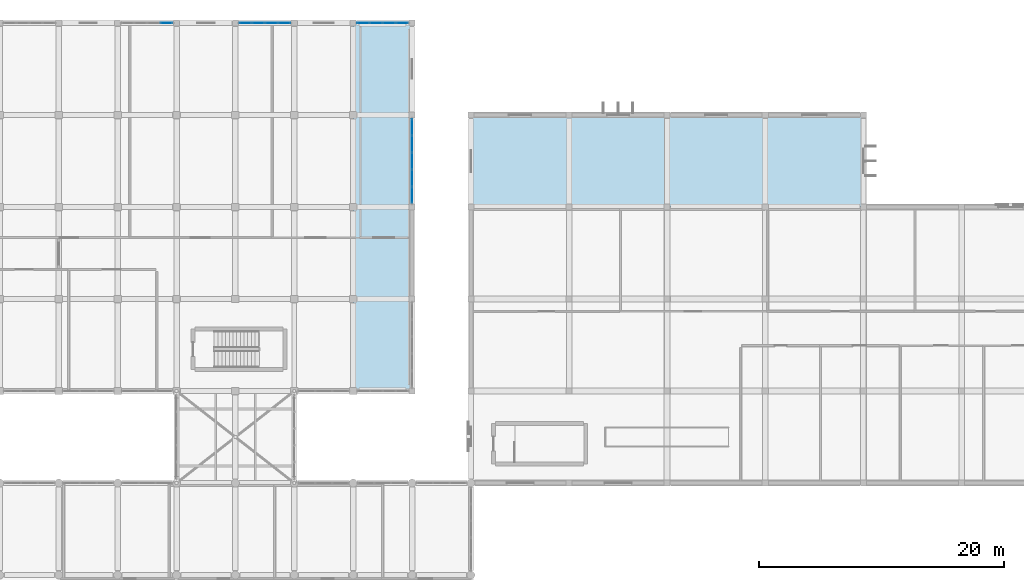
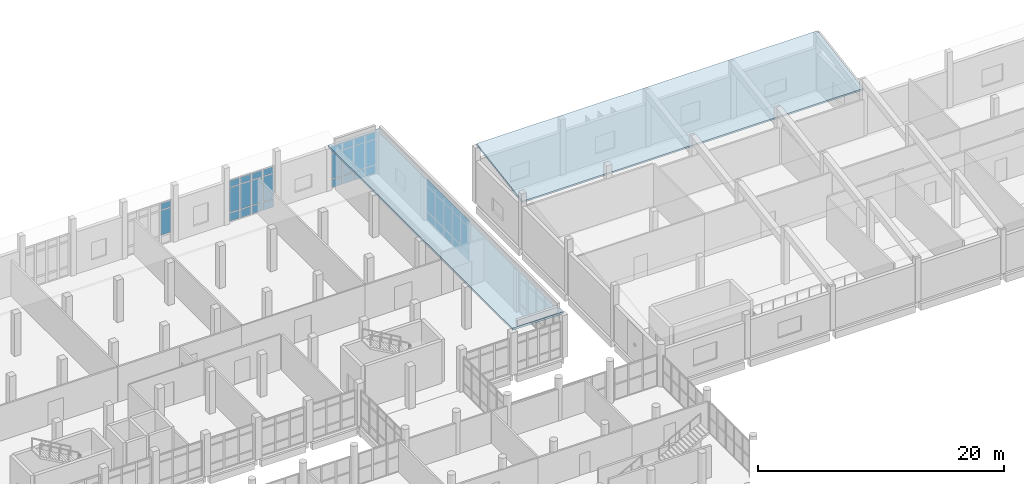
# One storey, part 135 of 164: 41 plates, 2 slabs, 4 elements without a shape of their own.
"""IFC4 building model written with IfcOpenShell, lengths in metres."""

import ifcopenshell
import ifcopenshell.guid

model = None  # the IFC model being written
_history = None  # IfcOwnerHistory: only IFC2X3 demands one
_inside = {}  # id of a spatial element -> (the spatial element, [elements in it])
_under = {}  # id of a project, library or spatial element -> (it, [spatial elements below it])
_declared = {}  # id of a project -> (the project, [libraries it declares])
_typed = {}  # id of a type object -> (the type object, [elements of that type])
_made_of = {}  # id of a material, layer set ... -> (it, [elements and type objects made of it])


def new_model(schema):
    """Start an empty IFC model of exactly this schema.

    Asked for "IFC4X3", IfcOpenShell would pick the latest addendum, in which some entities
    have other attributes; the version numbers below select the first issue.
    IFC2X3 requires an IfcOwnerHistory on every rooted entity: one is made here for all.
    """
    global model, _history
    if schema == "IFC4X3":
        model = ifcopenshell.file(schema_version=(4, 3, 0, 0))
    else:
        model = ifcopenshell.file(schema=schema)
    _inside.clear()
    _under.clear()
    _declared.clear()
    _typed.clear()
    _made_of.clear()
    _history = None
    if model.schema == "IFC2X3":
        org = make("IfcOrganization", Name="unknown")
        user = make(
            "IfcPersonAndOrganization",
            ThePerson=make("IfcPerson", FamilyName="unknown"),
            TheOrganization=org,
        )
        app = make(
            "IfcApplication",
            ApplicationDeveloper=org,
            Version="unknown",
            ApplicationFullName="unknown",
            ApplicationIdentifier="unknown",
        )
        _history = make(
            "IfcOwnerHistory",
            OwningUser=user,
            OwningApplication=app,
            ChangeAction="ADDED",
            CreationDate=0,
        )
    return model


def make(cls, **values):
    """One entity of the class cls with the attributes given. An attribute that is None is left unset."""
    return model.create_entity(
        cls, **{name: value for name, value in values.items() if value is not None}
    )


def rooted(cls, **values):
    """An entity with a GlobalId (a new one), such as an element, a storey or a relation."""
    return make(cls, GlobalId=ifcopenshell.guid.new(), OwnerHistory=_history, **values)


def si_unit(unit_type, name, prefix=None):
    """IfcSIUnit, for example si_unit("LENGTHUNIT", "METRE", prefix="MILLI")."""
    return make("IfcSIUnit", UnitType=unit_type, Prefix=prefix, Name=name)


def assignment(units):
    """IfcUnitAssignment: the units of a project."""
    return None if units is None else make("IfcUnitAssignment", Units=units)


def point(xyz):
    """IfcCartesianPoint."""
    return None if xyz is None else make("IfcCartesianPoint", Coordinates=xyz)


def direction(xyz):
    """IfcDirection."""
    return None if xyz is None else make("IfcDirection", DirectionRatios=xyz)


def frame(location, z_axis=None, x_axis=None):
    """IfcAxis2Placement3D, a coordinate frame: its origin and axes. An axis left out is left unset."""
    return make(
        "IfcAxis2Placement3D",
        Location=point(location),
        Axis=direction(z_axis),
        RefDirection=direction(x_axis),
    )


def frame_2d(location, x_axis=None):
    """IfcAxis2Placement2D, a coordinate frame in the plane: its origin and x axis."""
    return make(
        "IfcAxis2Placement2D", Location=point(location), RefDirection=direction(x_axis)
    )


def origin():
    """The frame at (0, 0, 0) with its axes left unset."""
    return frame((0.0, 0.0, 0.0))


def origin_2d():
    """The frame at (0, 0) in the plane with its x axis left unset."""
    return frame_2d((0.0, 0.0))


def place(relative_to, where):
    """IfcLocalPlacement: puts the frame where relative to a parent placement (None: the world)."""
    return make(
        "IfcLocalPlacement", PlacementRelTo=relative_to, RelativePlacement=where
    )


def context(
    kind, dimensions, precision=None, world=None, true_north=None, identifier=None
):
    """IfcGeometricRepresentationContext, for example the 3D "Model" context."""
    return make(
        "IfcGeometricRepresentationContext",
        ContextIdentifier=identifier,
        ContextType=kind,
        CoordinateSpaceDimension=dimensions,
        Precision=precision,
        WorldCoordinateSystem=world,
        TrueNorth=true_north,
    )


def subcontext(parent, identifier, kind, view, scale=None):
    """IfcGeometricRepresentationSubContext, for example "Body" below "Model"."""
    return make(
        "IfcGeometricRepresentationSubContext",
        ContextIdentifier=identifier,
        ContextType=kind,
        ParentContext=parent,
        TargetScale=scale,
        TargetView=view,
    )


def project(units=None, contexts=None):
    """IfcProject with its units and contexts."""
    return rooted(
        "IfcProject",
        Name="project",
        RepresentationContexts=contexts,
        UnitsInContext=assignment(units),
    )


def spatial(cls, under=None, at=None, **own):
    """A site, building, storey or space (cls), placed at a placement, below another one or the project."""
    s = rooted(cls, ObjectPlacement=at, **own)
    if under is not None:
        _under.setdefault(under.id(), (under, []))[1].append(s)
    return s


def polyline(points):
    """IfcPolyline through the points."""
    return make("IfcPolyline", Points=[point(p) for p in points])


def profile(cls, at=None, kind="AREA", **sizes):
    """A parametric profile (cls). Its sizes go by their IFC names, for example OverallWidth=200.0."""
    return make(cls, ProfileType=kind, Position=at, **sizes)


def rectangle(**sizes):
    """IfcRectangleProfileDef."""
    return profile("IfcRectangleProfileDef", **sizes)


def outline(outer, holes=None, kind="AREA"):
    """IfcArbitraryClosedProfileDef: a profile drawn as a closed curve; with holes, ...WithVoids."""
    if holes is None:
        return make("IfcArbitraryClosedProfileDef", ProfileType=kind, OuterCurve=outer)
    return make(
        "IfcArbitraryProfileDefWithVoids",
        ProfileType=kind,
        OuterCurve=outer,
        InnerCurves=holes,
    )


def extrude(swept, where, along, depth):
    """IfcExtrudedAreaSolid: the profile swept, set in the frame where, extruded along a direction by depth."""
    return make(
        "IfcExtrudedAreaSolid",
        SweptArea=swept,
        Position=where,
        ExtrudedDirection=direction(along),
        Depth=depth,
    )


def shape(context_of_items, identifier, shape_type, items):
    """IfcShapeRepresentation: the items that make up one representation, for example the "Body"."""
    return make(
        "IfcShapeRepresentation",
        ContextOfItems=context_of_items,
        RepresentationIdentifier=identifier,
        RepresentationType=shape_type,
        Items=items,
    )


def material(Name=None, Category=None):
    """IfcMaterial."""
    return make("IfcMaterial", Name=Name, Category=Category)


def layer(
    of_material, thickness, ventilated=None, Name=None, Category=None, Priority=None
):
    """IfcMaterialLayer: one layer of a wall or slab, of a material (None: an air gap)."""
    return make(
        "IfcMaterialLayer",
        Material=of_material,
        LayerThickness=thickness,
        IsVentilated=ventilated,
        Name=Name,
        Category=Category,
        Priority=Priority,
    )


def layer_set(layers, Name=None):
    """IfcMaterialLayerSet."""
    return make("IfcMaterialLayerSet", MaterialLayers=layers, LayerSetName=Name)


def made_of(thing, what):
    """Note that an element or type object is made of a material, layer set ...; save() writes the relation."""
    if what is not None:
        _made_of.setdefault(what.id(), (what, []))[1].append(thing)
    return thing


def type_object(cls, material=None, **own):
    """A type object (cls), such as IfcWallType, which elements share."""
    return made_of(rooted(cls, **own), material)


def element(
    cls,
    number,
    at=None,
    inside=None,
    cuts=None,
    type_object=None,
    material=None,
    context=None,
    identifier="Body",
    shape_type=None,
    held_by="IfcProductDefinitionShape",
    body=None,
    shapes=None,
    **own,
):
    """One element of the class cls, such as IfcWall. Its Tag is "e" and its number.

    at: its placement. inside: the storey or other place that contains it. cuts: it is an
    opening in that element (IfcRelVoidsElement). A single representation is given by context,
    identifier, shape_type and body (its items); several are given by shapes. held_by: the class
    of the entity that holds the representations. save() writes the other relations.
    """
    e = rooted(cls, Tag="e%d" % number, ObjectPlacement=at, **own)
    if body is not None:
        shapes = [shape(context, identifier, shape_type, body)]
    if shapes is not None:
        e.Representation = make(held_by, Representations=shapes)
    if inside is not None:
        _inside.setdefault(inside.id(), (inside, []))[1].append(e)
    if cuts is not None:
        rooted(
            "IfcRelVoidsElement", RelatingBuildingElement=cuts, RelatedOpeningElement=e
        )
    if type_object is not None:
        _typed.setdefault(type_object.id(), (type_object, []))[1].append(e)
    return made_of(e, material)


def aggregate(whole, parts):
    """IfcRelAggregates: a whole, such as a stair, and the parts it consists of."""
    return rooted("IfcRelAggregates", RelatingObject=whole, RelatedObjects=parts)


def save(model, path):
    """Write the relations noted so far, then the file.

    IfcRelAggregates (storeys below a building ...), IfcRelContainedInSpatialStructure (elements
    in a storey), IfcRelDefinesByType, IfcRelAssociatesMaterial and IfcRelDeclares: one each for
    every whole, place, type object, material and project.
    """
    for whole, parts in _under.values():
        aggregate(whole, parts)
    for where, things in _inside.values():
        rooted(
            "IfcRelContainedInSpatialStructure",
            RelatedElements=things,
            RelatingStructure=where,
        )
    for kind, things in _typed.values():
        rooted("IfcRelDefinesByType", RelatedObjects=things, RelatingType=kind)
    for what, things in _made_of.values():
        rooted("IfcRelAssociatesMaterial", RelatedObjects=things, RelatingMaterial=what)
    for by, libraries in _declared.values():
        rooted("IfcRelDeclares", RelatingContext=by, RelatedDefinitions=libraries)
    model.write(path)


model = new_model("IFC4")

# Units and contexts
model_context = context("Model", 3, precision=1e-05, world=origin(), true_north=direction((0.0, 1.0)))
body_context = subcontext(model_context, "Body", "Model", "MODEL_VIEW")
ifc_project = project(units=[si_unit("LENGTHUNIT", "METRE"), si_unit("AREAUNIT", "SQUARE_METRE"), si_unit("VOLUMEUNIT", "CUBIC_METRE"), si_unit("PLANEANGLEUNIT", "RADIAN"), si_unit("MASSUNIT", "GRAM", prefix="KILO")], contexts=[model_context])

# Site, building, storey
site_placement = place(None, origin())
site = spatial("IfcSite", under=ifc_project, at=site_placement, CompositionType="ELEMENT")
building_placement = place(site_placement, origin())
building = spatial("IfcBuilding", under=site, at=building_placement, Name="Mawjan Specialist Oncology Clinic", CompositionType="ELEMENT")
storey_placement = place(building_placement, frame((0.0, 0.0, 5.0)))
storey = spatial("IfcBuildingStorey", under=building, at=storey_placement, Name="L01", CompositionType="ELEMENT", Elevation=5.0)

# Curtain wall, plates
ifc_material_1 = material(Name="Unitised spectrally selective aluminium curtain wall", Category="aluminium")
ifc_layer_1 = layer(ifc_material_1, 0.179931640625, Name="Unitised spectrally selective aluminium curtain wall", Category="aluminium")
ifc_layer_set_1 = layer_set([ifc_layer_1], Name="Unitised spectrally selective aluminium curtain wall")
curtain_wall_type_1 = type_object("IfcCurtainWallType", Name="CW-63", PredefinedType="NOTDEFINED", material=ifc_layer_set_1)
curtain_wall_1_placement = place(storey_placement, origin())
curtain_wall_1 = element("IfcCurtainWall", 1, at=curtain_wall_1_placement, inside=storey, type_object=curtain_wall_type_1, Name="L01 Unitised Curtain Wall CW-L01-121", PredefinedType="NOTDEFINED")
ifc_material_2 = material(Name="Spectrally selective double low-E glazing", Category="glass")
ifc_layer_2 = layer(ifc_material_2, 0.031982421875, Name="Spectrally selective double low-E glazing", Category="glass")
ifc_layer_set_2 = layer_set([ifc_layer_2], Name="Spectrally selective double low-E glazing")
plate_type = type_object("IfcPlateType", Name="CW-P32", PredefinedType="CURTAIN_PANEL", material=ifc_layer_set_2)
plate_1_placement = place(storey_placement, frame((83.179931640625, 113.300048828125, 0.93505859375), z_axis=(0.0, 0.0, 1.0), x_axis=(1.0, 0.0, 0.0)))
plate_1 = element("IfcPlate", 2, at=plate_1_placement, type_object=plate_type, Name="CW-63 panel 4.2", PredefinedType="CURTAIN_PANEL", context=body_context, shape_type="SweptSolid", body=[
    extrude(rectangle(XDim=0.9599609375, YDim=0.031982421875, at=origin_2d()), origin(), (0.0, 0.0, 1.0), 2.449951171875),
])
plate_2_placement = place(storey_placement, frame((83.179931640625, 113.300048828125, 3.455078125), z_axis=(0.0, 0.0, 1.0), x_axis=(1.0, 0.0, 0.0)))
plate_2 = element("IfcPlate", 3, at=plate_2_placement, type_object=plate_type, Name="CW-63 panel 4.3", PredefinedType="CURTAIN_PANEL", context=body_context, shape_type="SweptSolid", body=[
    extrude(rectangle(XDim=0.9599609375, YDim=0.031982421875, at=origin_2d()), origin(), (0.0, 0.0, 1.0), 0.64501953125),
])
aggregate(curtain_wall_1, [plate_1, plate_2])

curtain_wall_2_placement = place(storey_placement, origin())
curtain_wall_2 = element("IfcCurtainWall", 4, at=curtain_wall_2_placement, inside=storey, type_object=curtain_wall_type_1, Name="L01 Unitised Curtain Wall CW-L01-122", PredefinedType="NOTDEFINED")
plate_3_placement = place(storey_placement, frame((89.6201171875, 113.300048828125, 0.070068359375), z_axis=(0.0, 0.0, 1.0), x_axis=(1.0, 0.0, 0.0)))
plate_3 = element("IfcPlate", 5, at=plate_3_placement, type_object=plate_type, Name="CW-63 panel 1.1", PredefinedType="CURTAIN_PANEL", context=body_context, shape_type="SweptSolid", body=[
    extrude(rectangle(XDim=0.9599609375, YDim=0.031982421875, at=origin_2d()), origin(), (0.0, 0.0, 1.0), 0.794921875),
])
plate_4_placement = place(storey_placement, frame((89.6201171875, 113.300048828125, 0.93505859375), z_axis=(0.0, 0.0, 1.0), x_axis=(1.0, 0.0, 0.0)))
plate_4 = element("IfcPlate", 6, at=plate_4_placement, type_object=plate_type, Name="CW-63 panel 1.2", PredefinedType="CURTAIN_PANEL", context=body_context, shape_type="SweptSolid", body=[
    extrude(rectangle(XDim=0.9599609375, YDim=0.031982421875, at=origin_2d()), origin(), (0.0, 0.0, 1.0), 2.449951171875),
])
plate_5_placement = place(storey_placement, frame((89.6201171875, 113.300048828125, 3.455078125), z_axis=(0.0, 0.0, 1.0), x_axis=(1.0, 0.0, 0.0)))
plate_5 = element("IfcPlate", 7, at=plate_5_placement, type_object=plate_type, Name="CW-63 panel 1.3", PredefinedType="CURTAIN_PANEL", context=body_context, shape_type="SweptSolid", body=[
    extrude(rectangle(XDim=0.9599609375, YDim=0.031982421875, at=origin_2d()), origin(), (0.0, 0.0, 1.0), 0.64501953125),
])
plate_6_placement = place(storey_placement, frame((90.66748046875, 113.300048828125, 0.070068359375), z_axis=(0.0, 0.0, 1.0), x_axis=(1.0, 0.0, 0.0)))
plate_6 = element("IfcPlate", 8, at=plate_6_placement, type_object=plate_type, Name="CW-63 panel 2.1", PredefinedType="CURTAIN_PANEL", context=body_context, shape_type="SweptSolid", body=[
    extrude(rectangle(XDim=0.9951171875, YDim=0.031982421875, at=origin_2d()), origin(), (0.0, 0.0, 1.0), 0.794921875),
])
plate_7_placement = place(storey_placement, frame((90.66748046875, 113.300048828125, 0.93505859375), z_axis=(0.0, 0.0, 1.0), x_axis=(1.0, 0.0, 0.0)))
plate_7 = element("IfcPlate", 9, at=plate_7_placement, type_object=plate_type, Name="CW-63 panel 2.2", PredefinedType="CURTAIN_PANEL", context=body_context, shape_type="SweptSolid", body=[
    extrude(rectangle(XDim=0.9951171875, YDim=0.031982421875, at=origin_2d()), origin(), (0.0, 0.0, 1.0), 2.449951171875),
])
plate_8_placement = place(storey_placement, frame((90.66748046875, 113.300048828125, 3.455078125), z_axis=(0.0, 0.0, 1.0), x_axis=(1.0, 0.0, 0.0)))
plate_8 = element("IfcPlate", 10, at=plate_8_placement, type_object=plate_type, Name="CW-63 panel 2.3", PredefinedType="CURTAIN_PANEL", context=body_context, shape_type="SweptSolid", body=[
    extrude(rectangle(XDim=0.9951171875, YDim=0.031982421875, at=origin_2d()), origin(), (0.0, 0.0, 1.0), 0.64501953125),
])
plate_9_placement = place(storey_placement, frame((91.732421875, 113.300048828125, 0.070068359375), z_axis=(0.0, 0.0, 1.0), x_axis=(1.0, 0.0, 0.0)))
plate_9 = element("IfcPlate", 11, at=plate_9_placement, type_object=plate_type, Name="CW-63 panel 3.1", PredefinedType="CURTAIN_PANEL", context=body_context, shape_type="SweptSolid", body=[
    extrude(rectangle(XDim=0.9951171875, YDim=0.031982421875, at=origin_2d()), origin(), (0.0, 0.0, 1.0), 0.794921875),
])
plate_10_placement = place(storey_placement, frame((91.732421875, 113.300048828125, 0.93505859375), z_axis=(0.0, 0.0, 1.0), x_axis=(1.0, 0.0, 0.0)))
plate_10 = element("IfcPlate", 12, at=plate_10_placement, type_object=plate_type, Name="CW-63 panel 3.2", PredefinedType="CURTAIN_PANEL", context=body_context, shape_type="SweptSolid", body=[
    extrude(rectangle(XDim=0.9951171875, YDim=0.031982421875, at=origin_2d()), origin(), (0.0, 0.0, 1.0), 2.449951171875),
])
plate_11_placement = place(storey_placement, frame((91.732421875, 113.300048828125, 3.455078125), z_axis=(0.0, 0.0, 1.0), x_axis=(1.0, 0.0, 0.0)))
plate_11 = element("IfcPlate", 13, at=plate_11_placement, type_object=plate_type, Name="CW-63 panel 3.3", PredefinedType="CURTAIN_PANEL", context=body_context, shape_type="SweptSolid", body=[
    extrude(rectangle(XDim=0.9951171875, YDim=0.031982421875, at=origin_2d()), origin(), (0.0, 0.0, 1.0), 0.64501953125),
])
plate_12_placement = place(storey_placement, frame((92.780029296875, 113.300048828125, 0.070068359375), z_axis=(0.0, 0.0, 1.0), x_axis=(1.0, 0.0, 0.0)))
plate_12 = element("IfcPlate", 14, at=plate_12_placement, type_object=plate_type, Name="CW-63 panel 4.1", PredefinedType="CURTAIN_PANEL", context=body_context, shape_type="SweptSolid", body=[
    extrude(rectangle(XDim=0.9599609375, YDim=0.031982421875, at=origin_2d()), origin(), (0.0, 0.0, 1.0), 0.794921875),
])
plate_13_placement = place(storey_placement, frame((92.780029296875, 113.300048828125, 0.93505859375), z_axis=(0.0, 0.0, 1.0), x_axis=(1.0, 0.0, 0.0)))
plate_13 = element("IfcPlate", 15, at=plate_13_placement, type_object=plate_type, Name="CW-63 panel 4.2", PredefinedType="CURTAIN_PANEL", context=body_context, shape_type="SweptSolid", body=[
    extrude(rectangle(XDim=0.9599609375, YDim=0.031982421875, at=origin_2d()), origin(), (0.0, 0.0, 1.0), 2.449951171875),
])
plate_14_placement = place(storey_placement, frame((92.780029296875, 113.300048828125, 3.455078125), z_axis=(0.0, 0.0, 1.0), x_axis=(1.0, 0.0, 0.0)))
plate_14 = element("IfcPlate", 16, at=plate_14_placement, type_object=plate_type, Name="CW-63 panel 4.3", PredefinedType="CURTAIN_PANEL", context=body_context, shape_type="SweptSolid", body=[
    extrude(rectangle(XDim=0.9599609375, YDim=0.031982421875, at=origin_2d()), origin(), (0.0, 0.0, 1.0), 0.64501953125),
])
aggregate(curtain_wall_2, [plate_3, plate_4, plate_5, plate_6, plate_7, plate_8, plate_9, plate_10, plate_11, plate_12, plate_13, plate_14])

ifc_material_3 = material(Name="Unitised spectrally selective aluminium curtain wall", Category="aluminium")
ifc_layer_3 = layer(ifc_material_3, 0.179931640625, Name="Unitised spectrally selective aluminium curtain wall", Category="aluminium")
ifc_layer_set_3 = layer_set([ifc_layer_3], Name="Unitised spectrally selective aluminium curtain wall")
curtain_wall_type_2 = type_object("IfcCurtainWallType", Name="CW-64", PredefinedType="NOTDEFINED", material=ifc_layer_set_3)
curtain_wall_3_placement = place(storey_placement, origin())
curtain_wall_3 = element("IfcCurtainWall", 17, at=curtain_wall_3_placement, inside=storey, type_object=curtain_wall_type_2, Name="L01 Unitised Curtain Wall CW-L01-123", PredefinedType="NOTDEFINED")
plate_15_placement = place(storey_placement, frame((99.219970703125, 113.300048828125, 0.070068359375), z_axis=(0.0, 0.0, 1.0), x_axis=(1.0, 0.0, 0.0)))
plate_15 = element("IfcPlate", 18, at=plate_15_placement, type_object=plate_type, Name="CW-64 panel 1.1", PredefinedType="CURTAIN_PANEL", context=body_context, shape_type="SweptSolid", body=[
    extrude(rectangle(XDim=0.9599609375, YDim=0.031982421875, at=origin_2d()), origin(), (0.0, 0.0, 1.0), 0.794921875),
])
plate_16_placement = place(storey_placement, frame((99.219970703125, 113.300048828125, 0.93505859375), z_axis=(0.0, 0.0, 1.0), x_axis=(1.0, 0.0, 0.0)))
plate_16 = element("IfcPlate", 19, at=plate_16_placement, type_object=plate_type, Name="CW-64 panel 1.2", PredefinedType="CURTAIN_PANEL", context=body_context, shape_type="SweptSolid", body=[
    extrude(rectangle(XDim=0.9599609375, YDim=0.031982421875, at=origin_2d()), origin(), (0.0, 0.0, 1.0), 2.47998046875),
])
plate_17_placement = place(storey_placement, frame((99.219970703125, 113.300048828125, 3.485107421875), z_axis=(0.0, 0.0, 1.0), x_axis=(1.0, 0.0, 0.0)))
plate_17 = element("IfcPlate", 20, at=plate_17_placement, type_object=plate_type, Name="CW-64 panel 1.3", PredefinedType="CURTAIN_PANEL", context=body_context, shape_type="SweptSolid", body=[
    extrude(rectangle(XDim=0.9599609375, YDim=0.031982421875, at=origin_2d()), origin(), (0.0, 0.0, 1.0), 0.64501953125),
])
plate_18_placement = place(storey_placement, frame((100.267578125, 113.300048828125, 0.070068359375), z_axis=(0.0, 0.0, 1.0), x_axis=(1.0, 0.0, 0.0)))
plate_18 = element("IfcPlate", 21, at=plate_18_placement, type_object=plate_type, Name="CW-64 panel 2.1", PredefinedType="CURTAIN_PANEL", context=body_context, shape_type="SweptSolid", body=[
    extrude(rectangle(XDim=0.9951171875, YDim=0.031982421875, at=origin_2d()), origin(), (0.0, 0.0, 1.0), 0.794921875),
])
plate_19_placement = place(storey_placement, frame((100.267578125, 113.300048828125, 0.93505859375), z_axis=(0.0, 0.0, 1.0), x_axis=(1.0, 0.0, 0.0)))
plate_19 = element("IfcPlate", 22, at=plate_19_placement, type_object=plate_type, Name="CW-64 panel 2.2", PredefinedType="CURTAIN_PANEL", context=body_context, shape_type="SweptSolid", body=[
    extrude(rectangle(XDim=0.9951171875, YDim=0.031982421875, at=origin_2d()), origin(), (0.0, 0.0, 1.0), 2.47998046875),
])
plate_20_placement = place(storey_placement, frame((100.267578125, 113.300048828125, 3.485107421875), z_axis=(0.0, 0.0, 1.0), x_axis=(1.0, 0.0, 0.0)))
plate_20 = element("IfcPlate", 23, at=plate_20_placement, type_object=plate_type, Name="CW-64 panel 2.3", PredefinedType="CURTAIN_PANEL", context=body_context, shape_type="SweptSolid", body=[
    extrude(rectangle(XDim=0.9951171875, YDim=0.031982421875, at=origin_2d()), origin(), (0.0, 0.0, 1.0), 0.64501953125),
])
plate_21_placement = place(storey_placement, frame((101.33251953125, 113.300048828125, 0.070068359375), z_axis=(0.0, 0.0, 1.0), x_axis=(1.0, 0.0, 0.0)))
plate_21 = element("IfcPlate", 24, at=plate_21_placement, type_object=plate_type, Name="CW-64 panel 3.1", PredefinedType="CURTAIN_PANEL", context=body_context, shape_type="SweptSolid", body=[
    extrude(rectangle(XDim=0.9951171875, YDim=0.031982421875, at=origin_2d()), origin(), (0.0, 0.0, 1.0), 0.794921875),
])
plate_22_placement = place(storey_placement, frame((101.33251953125, 113.300048828125, 0.93505859375), z_axis=(0.0, 0.0, 1.0), x_axis=(1.0, 0.0, 0.0)))
plate_22 = element("IfcPlate", 25, at=plate_22_placement, type_object=plate_type, Name="CW-64 panel 3.2", PredefinedType="CURTAIN_PANEL", context=body_context, shape_type="SweptSolid", body=[
    extrude(rectangle(XDim=0.9951171875, YDim=0.031982421875, at=origin_2d()), origin(), (0.0, 0.0, 1.0), 2.47998046875),
])
plate_23_placement = place(storey_placement, frame((101.33251953125, 113.300048828125, 3.485107421875), z_axis=(0.0, 0.0, 1.0), x_axis=(1.0, 0.0, 0.0)))
plate_23 = element("IfcPlate", 26, at=plate_23_placement, type_object=plate_type, Name="CW-64 panel 3.3", PredefinedType="CURTAIN_PANEL", context=body_context, shape_type="SweptSolid", body=[
    extrude(rectangle(XDim=0.9951171875, YDim=0.031982421875, at=origin_2d()), origin(), (0.0, 0.0, 1.0), 0.64501953125),
])
plate_24_placement = place(storey_placement, frame((102.3798828125, 113.300048828125, 0.070068359375), z_axis=(0.0, 0.0, 1.0), x_axis=(1.0, 0.0, 0.0)))
plate_24 = element("IfcPlate", 27, at=plate_24_placement, type_object=plate_type, Name="CW-64 panel 4.1", PredefinedType="CURTAIN_PANEL", context=body_context, shape_type="SweptSolid", body=[
    extrude(rectangle(XDim=0.9599609375, YDim=0.031982421875, at=origin_2d()), origin(), (0.0, 0.0, 1.0), 0.794921875),
])
plate_25_placement = place(storey_placement, frame((102.3798828125, 113.300048828125, 0.93505859375), z_axis=(0.0, 0.0, 1.0), x_axis=(1.0, 0.0, 0.0)))
plate_25 = element("IfcPlate", 28, at=plate_25_placement, type_object=plate_type, Name="CW-64 panel 4.2", PredefinedType="CURTAIN_PANEL", context=body_context, shape_type="SweptSolid", body=[
    extrude(rectangle(XDim=0.9599609375, YDim=0.031982421875, at=origin_2d()), origin(), (0.0, 0.0, 1.0), 2.47998046875),
])
plate_26_placement = place(storey_placement, frame((102.3798828125, 113.300048828125, 3.485107421875), z_axis=(0.0, 0.0, 1.0), x_axis=(1.0, 0.0, 0.0)))
plate_26 = element("IfcPlate", 29, at=plate_26_placement, type_object=plate_type, Name="CW-64 panel 4.3", PredefinedType="CURTAIN_PANEL", context=body_context, shape_type="SweptSolid", body=[
    extrude(rectangle(XDim=0.9599609375, YDim=0.031982421875, at=origin_2d()), origin(), (0.0, 0.0, 1.0), 0.64501953125),
])
aggregate(curtain_wall_3, [plate_15, plate_16, plate_17, plate_18, plate_19, plate_20, plate_21, plate_22, plate_23, plate_24, plate_25, plate_26])

ifc_material_4 = material(Name="Unitised spectrally selective aluminium curtain wall", Category="aluminium")
ifc_layer_4 = layer(ifc_material_4, 0.179931640625, Name="Unitised spectrally selective aluminium curtain wall", Category="aluminium")
ifc_layer_set_4 = layer_set([ifc_layer_4], Name="Unitised spectrally selective aluminium curtain wall")
curtain_wall_type_3 = type_object("IfcCurtainWallType", Name="CW-65", PredefinedType="NOTDEFINED", material=ifc_layer_set_4)
curtain_wall_4_placement = place(storey_placement, origin())
curtain_wall_4 = element("IfcCurtainWall", 30, at=curtain_wall_4_placement, inside=storey, type_object=curtain_wall_type_3, Name="L01 Unitised Curtain Wall CW-L01-124", PredefinedType="NOTDEFINED")
plate_27_placement = place(storey_placement, frame((103.199951171875, 104.81640625, 0.070068359375), z_axis=(0.0, 0.0, 1.0), x_axis=(0.0, -1.0, 0.0)))
plate_27 = element("IfcPlate", 31, at=plate_27_placement, type_object=plate_type, Name="CW-65 panel 1.1", PredefinedType="CURTAIN_PANEL", context=body_context, shape_type="SweptSolid", body=[
    extrude(rectangle(XDim=1.287109375, YDim=0.031982421875, at=origin_2d()), origin(), (0.0, 0.0, 1.0), 0.794921875),
])
plate_28_placement = place(storey_placement, frame((103.199951171875, 104.81640625, 0.93505859375), z_axis=(0.0, 0.0, 1.0), x_axis=(0.0, -1.0, 0.0)))
plate_28 = element("IfcPlate", 32, at=plate_28_placement, type_object=plate_type, Name="CW-65 panel 1.2", PredefinedType="CURTAIN_PANEL", context=body_context, shape_type="SweptSolid", body=[
    extrude(rectangle(XDim=1.287109375, YDim=0.031982421875, at=origin_2d()), origin(), (0.0, 0.0, 1.0), 2.47998046875),
])
plate_29_placement = place(storey_placement, frame((103.199951171875, 104.81640625, 3.485107421875), z_axis=(0.0, 0.0, 1.0), x_axis=(0.0, -1.0, 0.0)))
plate_29 = element("IfcPlate", 33, at=plate_29_placement, type_object=plate_type, Name="CW-65 panel 1.3", PredefinedType="CURTAIN_PANEL", context=body_context, shape_type="SweptSolid", body=[
    extrude(rectangle(XDim=1.287109375, YDim=0.031982421875, at=origin_2d()), origin(), (0.0, 0.0, 1.0), 0.64501953125),
])
plate_30_placement = place(storey_placement, frame((103.199951171875, 103.44189453125, 0.070068359375), z_axis=(0.0, 0.0, 1.0), x_axis=(0.0, -1.0, 0.0)))
plate_30 = element("IfcPlate", 34, at=plate_30_placement, type_object=plate_type, Name="CW-65 panel 2.1", PredefinedType="CURTAIN_PANEL", context=body_context, shape_type="SweptSolid", body=[
    extrude(rectangle(XDim=1.322021484375, YDim=0.031982421875, at=origin_2d()), origin(), (0.0, 0.0, 1.0), 0.794921875),
])
plate_31_placement = place(storey_placement, frame((103.199951171875, 103.44189453125, 0.93505859375), z_axis=(0.0, 0.0, 1.0), x_axis=(0.0, -1.0, 0.0)))
plate_31 = element("IfcPlate", 35, at=plate_31_placement, type_object=plate_type, Name="CW-65 panel 2.2", PredefinedType="CURTAIN_PANEL", context=body_context, shape_type="SweptSolid", body=[
    extrude(rectangle(XDim=1.322021484375, YDim=0.031982421875, at=origin_2d()), origin(), (0.0, 0.0, 1.0), 2.47998046875),
])
plate_32_placement = place(storey_placement, frame((103.199951171875, 103.44189453125, 3.485107421875), z_axis=(0.0, 0.0, 1.0), x_axis=(0.0, -1.0, 0.0)))
plate_32 = element("IfcPlate", 36, at=plate_32_placement, type_object=plate_type, Name="CW-65 panel 2.3", PredefinedType="CURTAIN_PANEL", context=body_context, shape_type="SweptSolid", body=[
    extrude(rectangle(XDim=1.322021484375, YDim=0.031982421875, at=origin_2d()), origin(), (0.0, 0.0, 1.0), 0.64501953125),
])
plate_33_placement = place(storey_placement, frame((103.199951171875, 102.050048828125, 0.070068359375), z_axis=(0.0, 0.0, 1.0), x_axis=(0.0, -1.0, 0.0)))
plate_33 = element("IfcPlate", 37, at=plate_33_placement, type_object=plate_type, Name="CW-65 panel 3.1", PredefinedType="CURTAIN_PANEL", context=body_context, shape_type="SweptSolid", body=[
    extrude(rectangle(XDim=1.322021484375, YDim=0.031982421875, at=origin_2d()), origin(), (0.0, 0.0, 1.0), 0.794921875),
])
plate_34_placement = place(storey_placement, frame((103.199951171875, 102.050048828125, 0.93505859375), z_axis=(0.0, 0.0, 1.0), x_axis=(0.0, -1.0, 0.0)))
plate_34 = element("IfcPlate", 38, at=plate_34_placement, type_object=plate_type, Name="CW-65 panel 3.2", PredefinedType="CURTAIN_PANEL", context=body_context, shape_type="SweptSolid", body=[
    extrude(rectangle(XDim=1.322021484375, YDim=0.031982421875, at=origin_2d()), origin(), (0.0, 0.0, 1.0), 2.47998046875),
])
plate_35_placement = place(storey_placement, frame((103.199951171875, 102.050048828125, 3.485107421875), z_axis=(0.0, 0.0, 1.0), x_axis=(0.0, -1.0, 0.0)))
plate_35 = element("IfcPlate", 39, at=plate_35_placement, type_object=plate_type, Name="CW-65 panel 3.3", PredefinedType="CURTAIN_PANEL", context=body_context, shape_type="SweptSolid", body=[
    extrude(rectangle(XDim=1.322021484375, YDim=0.031982421875, at=origin_2d()), origin(), (0.0, 0.0, 1.0), 0.64501953125),
])
plate_36_placement = place(storey_placement, frame((103.199951171875, 100.657958984375, 0.070068359375), z_axis=(0.0, 0.0, 1.0), x_axis=(0.0, -1.0, 0.0)))
plate_36 = element("IfcPlate", 40, at=plate_36_placement, type_object=plate_type, Name="CW-65 panel 4.1", PredefinedType="CURTAIN_PANEL", context=body_context, shape_type="SweptSolid", body=[
    extrude(rectangle(XDim=1.322021484375, YDim=0.031982421875, at=origin_2d()), origin(), (0.0, 0.0, 1.0), 0.794921875),
])
plate_37_placement = place(storey_placement, frame((103.199951171875, 100.657958984375, 0.93505859375), z_axis=(0.0, 0.0, 1.0), x_axis=(0.0, -1.0, 0.0)))
plate_37 = element("IfcPlate", 41, at=plate_37_placement, type_object=plate_type, Name="CW-65 panel 4.2", PredefinedType="CURTAIN_PANEL", context=body_context, shape_type="SweptSolid", body=[
    extrude(rectangle(XDim=1.322021484375, YDim=0.031982421875, at=origin_2d()), origin(), (0.0, 0.0, 1.0), 2.47998046875),
])
plate_38_placement = place(storey_placement, frame((103.199951171875, 100.657958984375, 3.485107421875), z_axis=(0.0, 0.0, 1.0), x_axis=(0.0, -1.0, 0.0)))
plate_38 = element("IfcPlate", 42, at=plate_38_placement, type_object=plate_type, Name="CW-65 panel 4.3", PredefinedType="CURTAIN_PANEL", context=body_context, shape_type="SweptSolid", body=[
    extrude(rectangle(XDim=1.322021484375, YDim=0.031982421875, at=origin_2d()), origin(), (0.0, 0.0, 1.0), 0.64501953125),
])
plate_39_placement = place(storey_placement, frame((103.199951171875, 99.283447265625, 0.070068359375), z_axis=(0.0, 0.0, 1.0), x_axis=(0.0, -1.0, 0.0)))
plate_39 = element("IfcPlate", 43, at=plate_39_placement, type_object=plate_type, Name="CW-65 panel 5.1", PredefinedType="CURTAIN_PANEL", context=body_context, shape_type="SweptSolid", body=[
    extrude(rectangle(XDim=1.287109375, YDim=0.031982421875, at=origin_2d()), origin(), (0.0, 0.0, 1.0), 0.794921875),
])
plate_40_placement = place(storey_placement, frame((103.199951171875, 99.283447265625, 0.93505859375), z_axis=(0.0, 0.0, 1.0), x_axis=(0.0, -1.0, 0.0)))
plate_40 = element("IfcPlate", 44, at=plate_40_placement, type_object=plate_type, Name="CW-65 panel 5.2", PredefinedType="CURTAIN_PANEL", context=body_context, shape_type="SweptSolid", body=[
    extrude(rectangle(XDim=1.287109375, YDim=0.031982421875, at=origin_2d()), origin(), (0.0, 0.0, 1.0), 2.47998046875),
])
plate_41_placement = place(storey_placement, frame((103.199951171875, 99.283447265625, 3.485107421875), z_axis=(0.0, 0.0, 1.0), x_axis=(0.0, -1.0, 0.0)))
plate_41 = element("IfcPlate", 45, at=plate_41_placement, type_object=plate_type, Name="CW-65 panel 5.3", PredefinedType="CURTAIN_PANEL", context=body_context, shape_type="SweptSolid", body=[
    extrude(rectangle(XDim=1.287109375, YDim=0.031982421875, at=origin_2d()), origin(), (0.0, 0.0, 1.0), 0.64501953125),
])
aggregate(curtain_wall_4, [plate_27, plate_28, plate_29, plate_30, plate_31, plate_32, plate_33, plate_34, plate_35, plate_36, plate_37, plate_38, plate_39, plate_40, plate_41])

# Slabs
ifc_material_5 = material(Name="Concrete C35/45", Category="concrete")
ifc_layer_5 = layer(ifc_material_5, 0.199951171875, Name="Concrete C35/45", Category="concrete")
ifc_layer_set_5 = layer_set([ifc_layer_5], Name="Concrete C35/45")
slab_type_1 = type_object("IfcSlabType", Name="RF-OVR200", PredefinedType="ROOF", material=ifc_layer_set_5)
slab_1_placement = place(storey_placement, frame((0.0, 0.0, 4.199951171875)))
element("IfcSlab", 46, at=slab_1_placement, inside=storey, type_object=slab_type_1, Name="Day Procedure L01 East Step-Back Roof Deck", PredefinedType="ROOF", context=body_context, shape_type="SweptSolid", body=[
    extrude(outline(polyline([(98.39990234375, 83.300048828125), (103.199951171875, 83.300048828125), (103.199951171875, 113.300048828125), (98.39990234375, 113.300048828125), (98.39990234375, 83.300048828125)])), origin(), (0.0, 0.0, 1.0), 0.199951171875),
])
ifc_material_6 = material(Name="Precast concrete C45/55", Category="concrete")
ifc_layer_6 = layer(ifc_material_6, 0.18994140625, Name="Precast concrete C45/55", Category="concrete")
ifc_layer_set_6 = layer_set([ifc_layer_6], Name="Precast concrete C45/55")
slab_type_2 = type_object("IfcSlabType", Name="RF-SAW190", PredefinedType="ROOF", material=ifc_layer_set_6)
slab_2_placement = place(storey_placement, frame((108.0, 98.31201171875, 4.550048828125), z_axis=(0.0, -0.158477153608, 0.987362644515), x_axis=(1.0, 0.0, 0.0)))
element("IfcSlab", 47, at=slab_2_placement, inside=storey, type_object=slab_type_2, Name="Diagnostic Sawtooth Roof Bay 4", PredefinedType="ROOF", context=body_context, shape_type="SweptSolid", body=[
    extrude(outline(polyline([(0.0, 0.0), (32.0, 0.0), (32.0, 7.571761257405215), (0.0, 7.571761257405215), (0.0, 0.0)])), origin(), (0.0, 0.0, -1.0), 0.18994140625),
])

save(model, "model.ifc")
